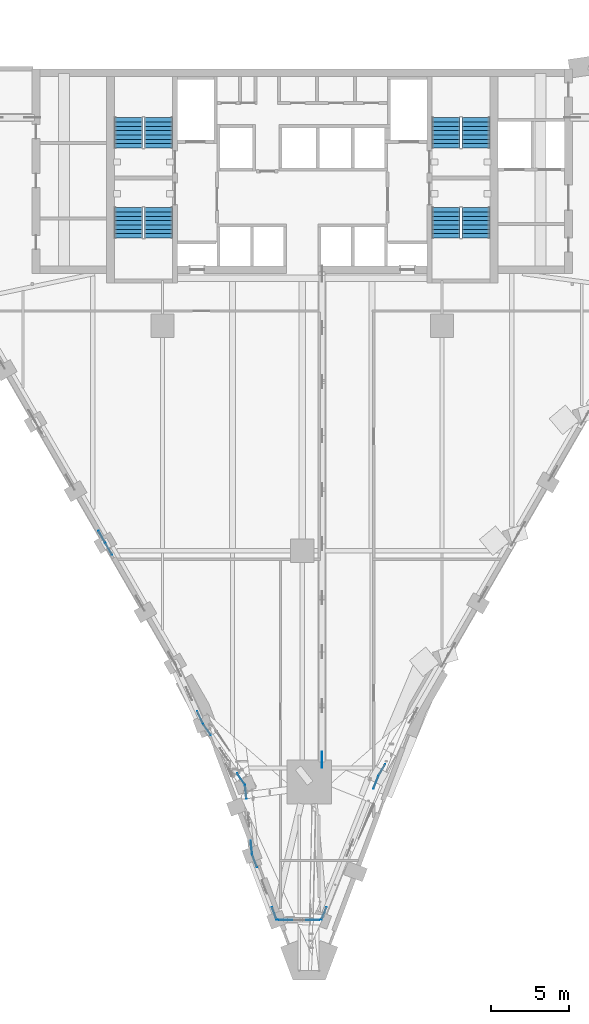
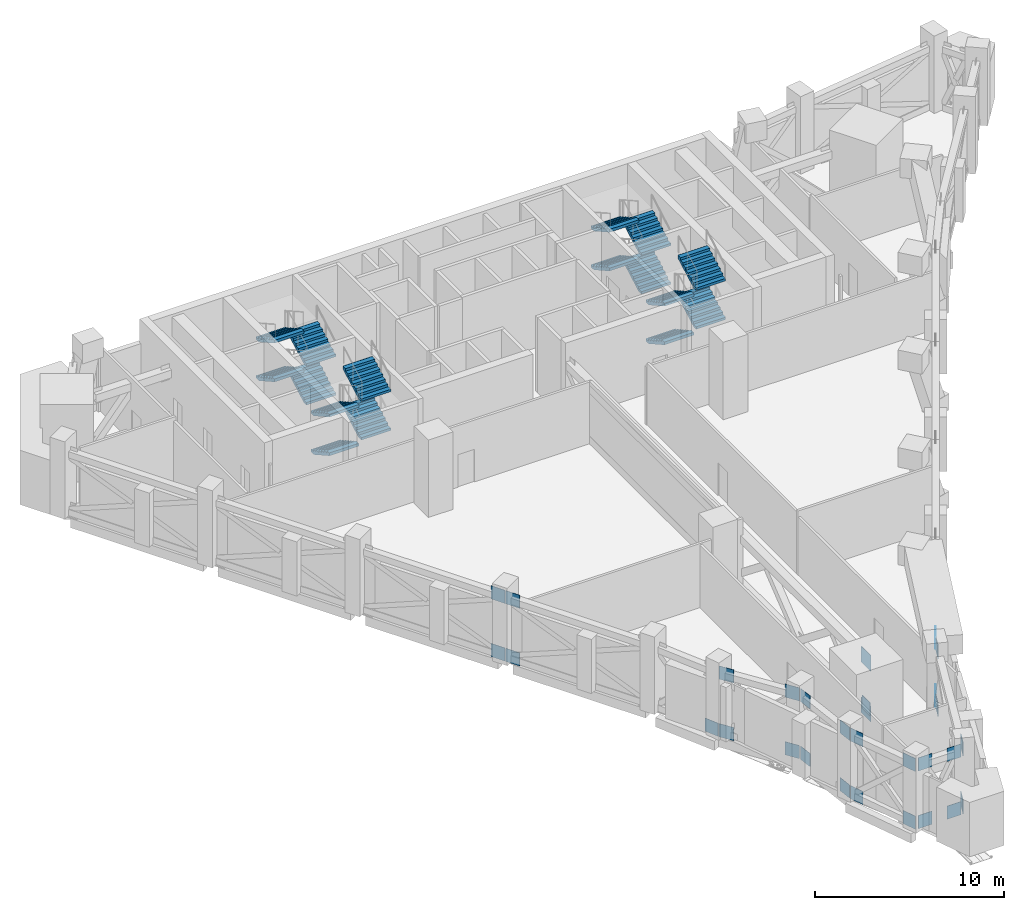
# One storey, part 12 of 20: 30 discrete accessories, 16 stair flights, 4 elements without a shape of their own.
"""IFC4 building model written with IfcOpenShell, lengths in metres."""

from ifc_helpers import new_model, si_unit, direction, frame, origin, origin_2d, place, context, subcontext, project, spatial, rectangle, extrude, faceted_brep, source, transform, mapped, material, type_object, element, aggregate, save


model = new_model("IFC4")

# Units and contexts
model_context = context("Model", 3, precision=1e-05, world=origin(), true_north=direction((0.0, 1.0)))
body_context = subcontext(model_context, "Body", "Model", "MODEL_VIEW")
ifc_project = project(units=[si_unit("LENGTHUNIT", "METRE"), si_unit("AREAUNIT", "SQUARE_METRE"), si_unit("VOLUMEUNIT", "CUBIC_METRE"), si_unit("PLANEANGLEUNIT", "RADIAN"), si_unit("MASSUNIT", "GRAM", prefix="KILO")], contexts=[model_context])

# Site, building, storey
site_placement = place(None, origin())
site = spatial("IfcSite", under=ifc_project, at=site_placement, CompositionType="ELEMENT")
building_placement = place(site_placement, origin())
building = spatial("IfcBuilding", under=site, at=building_placement, Name="Calabash Gate Tower", CompositionType="ELEMENT")
storey_placement = place(building_placement, frame((0.0, 0.0, 139.60009765625)))
storey = spatial("IfcBuildingStorey", under=building, at=storey_placement, Name="L32", CompositionType="ELEMENT", Elevation=139.60009765625)

# Stair, stair flights
ifc_material_1 = material(Name="Concrete C40/50", Category="concrete")
stair_type = type_object("IfcStairType", Name="Exit stair 32 risers of 156.2 mm", PredefinedType="HALF_TURN_STAIR", material=ifc_material_1)
stair_1_placement = place(storey_placement, origin())
stair_1 = element("IfcStair", 1, at=stair_1_placement, inside=storey, type_object=stair_type, Name="L32 Exit stair ST1", PredefinedType="HALF_TURN_STAIR")
ifc_material_2 = material(Name="Concrete C40/50", Category="concrete")
stair_flight_type = type_object("IfcStairFlightType", Name="Exit stair flight SFL", PredefinedType="STRAIGHT", material=ifc_material_2)
shared_shape = source(origin(), body_context, "Body", "Brep", [
    faceted_brep([(-0.0009765625, -0.89990234375, 0.0), (0.306884765625, -0.89990234375, 0.0), (1.9541015625, -0.89990234375, 0.921875), (-0.0009765625, 0.89990234375, 0.0), (1.9541015625, 0.89990234375, 0.921875), (0.306884765625, 0.89990234375, 0.0), (1.9541015625, -0.89990234375, 1.105712890625), (1.952880859375, -0.89990234375, 1.105712890625), (1.952880859375, 0.89990234375, 1.105712890625), (1.9541015625, 0.89990234375, 1.105712890625), (1.952880859375, -0.89990234375, 1.09375), (1.952880859375, 0.89990234375, 1.09375), (1.674072265625, -0.89990234375, 1.09375), (1.674072265625, 0.89990234375, 1.09375), (1.674072265625, -0.89990234375, 0.9375), (1.674072265625, 0.89990234375, 0.9375), (1.39501953125, -0.89990234375, 0.9375), (1.39501953125, 0.89990234375, 0.9375), (1.39501953125, -0.89990234375, 0.78125), (1.39501953125, 0.89990234375, 0.78125), (1.115966796875, -0.89990234375, 0.78125), (1.115966796875, -0.89990234375, 0.625), (1.115966796875, 0.89990234375, 0.625), (1.115966796875, 0.89990234375, 0.78125), (0.8369140625, -0.89990234375, 0.625), (0.8369140625, -0.89990234375, 0.46875), (0.8369140625, 0.89990234375, 0.46875), (0.8369140625, 0.89990234375, 0.625), (0.55810546875, -0.89990234375, 0.46875), (0.55810546875, -0.89990234375, 0.3125), (0.55810546875, 0.89990234375, 0.3125), (0.55810546875, 0.89990234375, 0.46875), (0.279052734375, -0.89990234375, 0.3125), (0.279052734375, -0.89990234375, 0.15625), (0.279052734375, 0.89990234375, 0.15625), (0.279052734375, 0.89990234375, 0.3125), (-0.0009765625, -0.89990234375, 0.15625), (-0.0009765625, 0.89990234375, 0.15625), (0.306884765625, -0.360107421875, 0.0), (1.9541015625, -0.360107421875, 0.921875), (0.306884765625, -0.27001953125, 0.0), (1.9541015625, -0.27001953125, 0.921875), (0.306884765625, -0.179931640625, 0.0), (1.9541015625, -0.179931640625, 0.921875), (0.306884765625, -0.090087890625, 0.0), (1.9541015625, -0.090087890625, 0.921875), (0.306884765625, 0.0, 0.0), (1.9541015625, 0.0, 0.921875), (0.306884765625, 0.090087890625, 0.0), (1.9541015625, 0.090087890625, 0.921875), (0.306884765625, 0.179931640625, 0.0), (1.9541015625, 0.179931640625, 0.921875), (0.306884765625, 0.27001953125, 0.0), (1.9541015625, 0.27001953125, 0.921875), (0.306884765625, 0.360107421875, 0.0), (1.9541015625, 0.360107421875, 0.921875), (1.9541015625, -0.360107421875, 1.105712890625), (1.9541015625, -0.27001953125, 1.105712890625), (1.9541015625, -0.179931640625, 1.105712890625), (1.9541015625, -0.090087890625, 1.105712890625), (1.9541015625, 0.0, 1.105712890625), (1.9541015625, 0.090087890625, 1.105712890625), (1.9541015625, 0.179931640625, 1.105712890625), (1.9541015625, 0.27001953125, 1.105712890625), (1.9541015625, 0.360107421875, 1.105712890625), (1.952880859375, -0.360107421875, 1.105712890625), (1.952880859375, -0.27001953125, 1.105712890625), (1.952880859375, -0.179931640625, 1.105712890625), (1.952880859375, -0.090087890625, 1.105712890625), (1.952880859375, 0.0, 1.105712890625), (1.952880859375, 0.090087890625, 1.105712890625), (1.952880859375, 0.179931640625, 1.105712890625), (1.952880859375, 0.27001953125, 1.105712890625), (1.952880859375, 0.360107421875, 1.105712890625), (1.952880859375, -0.360107421875, 1.09375), (1.952880859375, -0.27001953125, 1.09375), (1.952880859375, -0.179931640625, 1.09375), (1.952880859375, -0.090087890625, 1.09375), (1.952880859375, 0.0, 1.09375), (1.952880859375, 0.090087890625, 1.09375), (1.952880859375, 0.179931640625, 1.09375), (1.952880859375, 0.27001953125, 1.09375), (1.952880859375, 0.360107421875, 1.09375), (1.674072265625, -0.360107421875, 1.09375), (1.674072265625, -0.27001953125, 1.09375), (1.674072265625, -0.179931640625, 1.09375), (1.674072265625, -0.090087890625, 1.09375), (1.674072265625, 0.0, 1.09375), (1.674072265625, 0.090087890625, 1.09375), (1.674072265625, 0.179931640625, 1.09375), (1.674072265625, 0.27001953125, 1.09375), (1.674072265625, 0.360107421875, 1.09375), (1.674072265625, -0.360107421875, 0.9375), (1.674072265625, -0.27001953125, 0.9375), (1.674072265625, -0.179931640625, 0.9375), (1.674072265625, -0.090087890625, 0.9375), (1.674072265625, 0.0, 0.9375), (1.674072265625, 0.090087890625, 0.9375), (1.674072265625, 0.179931640625, 0.9375), (1.674072265625, 0.27001953125, 0.9375), (1.674072265625, 0.360107421875, 0.9375), (1.39501953125, -0.360107421875, 0.9375), (1.39501953125, -0.27001953125, 0.9375), (1.39501953125, -0.179931640625, 0.9375), (1.39501953125, -0.090087890625, 0.9375), (1.39501953125, 0.0, 0.9375), (1.39501953125, 0.090087890625, 0.9375), (1.39501953125, 0.179931640625, 0.9375), (1.39501953125, 0.27001953125, 0.9375), (1.39501953125, 0.360107421875, 0.9375), (1.39501953125, -0.360107421875, 0.78125), (1.39501953125, -0.27001953125, 0.78125), (1.39501953125, -0.179931640625, 0.78125), (1.39501953125, -0.090087890625, 0.78125), (1.39501953125, 0.0, 0.78125), (1.39501953125, 0.090087890625, 0.78125), (1.39501953125, 0.179931640625, 0.78125), (1.39501953125, 0.27001953125, 0.78125), (1.39501953125, 0.360107421875, 0.78125), (1.115966796875, -0.360107421875, 0.78125), (1.115966796875, -0.27001953125, 0.78125), (1.115966796875, -0.179931640625, 0.78125), (1.115966796875, -0.090087890625, 0.78125), (1.115966796875, 0.0, 0.78125), (1.115966796875, 0.090087890625, 0.78125), (1.115966796875, 0.179931640625, 0.78125), (1.115966796875, 0.27001953125, 0.78125), (1.115966796875, 0.360107421875, 0.78125), (1.115966796875, -0.360107421875, 0.625), (1.115966796875, -0.27001953125, 0.625), (1.115966796875, -0.179931640625, 0.625), (1.115966796875, -0.090087890625, 0.625), (1.115966796875, 0.0, 0.625), (1.115966796875, 0.090087890625, 0.625), (1.115966796875, 0.179931640625, 0.625), (1.115966796875, 0.27001953125, 0.625), (1.115966796875, 0.360107421875, 0.625), (0.8369140625, -0.360107421875, 0.625), (0.8369140625, -0.27001953125, 0.625), (0.8369140625, -0.179931640625, 0.625), (0.8369140625, -0.090087890625, 0.625), (0.8369140625, 0.0, 0.625), (0.8369140625, 0.090087890625, 0.625), (0.8369140625, 0.179931640625, 0.625), (0.8369140625, 0.27001953125, 0.625), (0.8369140625, 0.360107421875, 0.625), (0.8369140625, -0.360107421875, 0.46875), (0.8369140625, -0.27001953125, 0.46875), (0.8369140625, -0.179931640625, 0.46875), (0.8369140625, -0.090087890625, 0.46875), (0.8369140625, 0.0, 0.46875), (0.8369140625, 0.090087890625, 0.46875), (0.8369140625, 0.179931640625, 0.46875), (0.8369140625, 0.27001953125, 0.46875), (0.8369140625, 0.360107421875, 0.46875), (0.55810546875, -0.360107421875, 0.46875), (0.55810546875, -0.27001953125, 0.46875), (0.55810546875, -0.179931640625, 0.46875), (0.55810546875, -0.090087890625, 0.46875), (0.55810546875, 0.0, 0.46875), (0.55810546875, 0.090087890625, 0.46875), (0.55810546875, 0.179931640625, 0.46875), (0.55810546875, 0.27001953125, 0.46875), (0.55810546875, 0.360107421875, 0.46875), (0.55810546875, -0.360107421875, 0.3125), (0.55810546875, -0.27001953125, 0.3125), (0.55810546875, -0.179931640625, 0.3125), (0.55810546875, -0.090087890625, 0.3125), (0.55810546875, 0.0, 0.3125), (0.55810546875, 0.090087890625, 0.3125), (0.55810546875, 0.179931640625, 0.3125), (0.55810546875, 0.27001953125, 0.3125), (0.55810546875, 0.360107421875, 0.3125), (0.279052734375, -0.360107421875, 0.3125), (0.279052734375, -0.27001953125, 0.3125), (0.279052734375, -0.179931640625, 0.3125), (0.279052734375, -0.090087890625, 0.3125), (0.279052734375, 0.0, 0.3125), (0.279052734375, 0.090087890625, 0.3125), (0.279052734375, 0.179931640625, 0.3125), (0.279052734375, 0.27001953125, 0.3125), (0.279052734375, 0.360107421875, 0.3125), (0.279052734375, -0.360107421875, 0.15625), (0.279052734375, -0.27001953125, 0.15625), (0.279052734375, -0.179931640625, 0.15625), (0.279052734375, -0.090087890625, 0.15625), (0.279052734375, 0.0, 0.15625), (0.279052734375, 0.090087890625, 0.15625), (0.279052734375, 0.179931640625, 0.15625), (0.279052734375, 0.27001953125, 0.15625), (0.279052734375, 0.360107421875, 0.15625), (-0.0009765625, -0.360107421875, 0.15625), (-0.0009765625, -0.27001953125, 0.15625), (-0.0009765625, -0.179931640625, 0.15625), (-0.0009765625, -0.090087890625, 0.15625), (-0.0009765625, 0.0, 0.15625), (-0.0009765625, 0.090087890625, 0.15625), (-0.0009765625, 0.179931640625, 0.15625), (-0.0009765625, 0.27001953125, 0.15625), (-0.0009765625, 0.360107421875, 0.15625), (-0.0009765625, -0.360107421875, 0.0), (-0.0009765625, -0.27001953125, 0.0), (-0.0009765625, -0.179931640625, 0.0), (-0.0009765625, -0.090087890625, 0.0), (-0.0009765625, 0.0, 0.0), (-0.0009765625, 0.090087890625, 0.0), (-0.0009765625, 0.179931640625, 0.0), (-0.0009765625, 0.27001953125, 0.0), (-0.0009765625, 0.360107421875, 0.0)], [[[0, 1, 2]], [[3, 4, 5]], [[2, 6, 7]], [[4, 8, 9]], [[2, 7, 10]], [[4, 11, 8]], [[2, 10, 12]], [[4, 13, 11]], [[2, 12, 14]], [[4, 15, 13]], [[2, 14, 16]], [[4, 17, 15]], [[2, 16, 18]], [[4, 19, 17]], [[18, 20, 21]], [[19, 22, 23]], [[2, 18, 21]], [[4, 22, 19]], [[21, 24, 25]], [[22, 26, 27]], [[2, 21, 25]], [[4, 26, 22]], [[25, 28, 29]], [[26, 30, 31]], [[2, 25, 29]], [[4, 30, 26]], [[29, 32, 33]], [[30, 34, 35]], [[2, 29, 33]], [[4, 34, 30]], [[0, 2, 33]], [[3, 34, 4]], [[33, 36, 0]], [[34, 3, 37]], [[1, 38, 2]], [[38, 39, 2]], [[38, 40, 39]], [[40, 41, 39]], [[40, 42, 41]], [[42, 43, 41]], [[42, 44, 43]], [[44, 45, 43]], [[44, 46, 45]], [[46, 47, 45]], [[46, 48, 49]], [[46, 49, 47]], [[48, 50, 51]], [[48, 51, 49]], [[50, 52, 53]], [[50, 53, 51]], [[52, 54, 55]], [[52, 55, 53]], [[54, 5, 4]], [[54, 4, 55]], [[2, 39, 6]], [[39, 56, 6]], [[39, 41, 56]], [[41, 57, 56]], [[41, 43, 57]], [[43, 58, 57]], [[43, 45, 58]], [[45, 59, 58]], [[45, 47, 59]], [[47, 60, 59]], [[47, 49, 61]], [[47, 61, 60]], [[49, 51, 62]], [[49, 62, 61]], [[51, 53, 63]], [[51, 63, 62]], [[53, 55, 64]], [[53, 64, 63]], [[55, 4, 9]], [[55, 9, 64]], [[6, 56, 7]], [[56, 65, 7]], [[56, 57, 65]], [[57, 66, 65]], [[57, 58, 66]], [[58, 67, 66]], [[58, 59, 67]], [[59, 68, 67]], [[59, 60, 68]], [[60, 69, 68]], [[60, 61, 70]], [[60, 70, 69]], [[61, 62, 71]], [[61, 71, 70]], [[62, 63, 72]], [[62, 72, 71]], [[63, 64, 73]], [[63, 73, 72]], [[64, 9, 8]], [[64, 8, 73]], [[7, 65, 10]], [[65, 74, 10]], [[65, 66, 74]], [[66, 75, 74]], [[66, 67, 75]], [[67, 76, 75]], [[67, 68, 76]], [[68, 77, 76]], [[68, 69, 77]], [[69, 78, 77]], [[69, 70, 79]], [[69, 79, 78]], [[70, 71, 80]], [[70, 80, 79]], [[71, 72, 81]], [[71, 81, 80]], [[72, 73, 82]], [[72, 82, 81]], [[73, 8, 11]], [[73, 11, 82]], [[10, 74, 12]], [[74, 83, 12]], [[74, 75, 83]], [[75, 84, 83]], [[75, 76, 84]], [[76, 85, 84]], [[76, 77, 85]], [[77, 86, 85]], [[77, 78, 86]], [[78, 87, 86]], [[78, 79, 88]], [[78, 88, 87]], [[79, 80, 89]], [[79, 89, 88]], [[80, 81, 90]], [[80, 90, 89]], [[81, 82, 91]], [[81, 91, 90]], [[82, 11, 13]], [[82, 13, 91]], [[12, 83, 14]], [[83, 92, 14]], [[83, 84, 92]], [[84, 93, 92]], [[84, 85, 93]], [[85, 94, 93]], [[85, 86, 94]], [[86, 95, 94]], [[86, 87, 95]], [[87, 96, 95]], [[87, 88, 97]], [[87, 97, 96]], [[88, 89, 98]], [[88, 98, 97]], [[89, 90, 99]], [[89, 99, 98]], [[90, 91, 100]], [[90, 100, 99]], [[91, 13, 15]], [[91, 15, 100]], [[14, 92, 16]], [[92, 101, 16]], [[92, 93, 101]], [[93, 102, 101]], [[93, 94, 102]], [[94, 103, 102]], [[94, 95, 103]], [[95, 104, 103]], [[95, 96, 104]], [[96, 105, 104]], [[96, 97, 106]], [[96, 106, 105]], [[97, 98, 107]], [[97, 107, 106]], [[98, 99, 108]], [[98, 108, 107]], [[99, 100, 109]], [[99, 109, 108]], [[100, 15, 17]], [[100, 17, 109]], [[16, 101, 18]], [[101, 110, 18]], [[101, 102, 110]], [[102, 111, 110]], [[102, 103, 111]], [[103, 112, 111]], [[103, 104, 112]], [[104, 113, 112]], [[104, 105, 113]], [[105, 114, 113]], [[105, 106, 115]], [[105, 115, 114]], [[106, 107, 116]], [[106, 116, 115]], [[107, 108, 117]], [[107, 117, 116]], [[108, 109, 118]], [[108, 118, 117]], [[109, 17, 19]], [[109, 19, 118]], [[18, 110, 20]], [[110, 119, 20]], [[110, 111, 119]], [[111, 120, 119]], [[111, 112, 120]], [[112, 121, 120]], [[112, 113, 121]], [[113, 122, 121]], [[113, 114, 122]], [[114, 123, 122]], [[114, 115, 124]], [[114, 124, 123]], [[115, 116, 125]], [[115, 125, 124]], [[116, 117, 126]], [[116, 126, 125]], [[117, 118, 127]], [[117, 127, 126]], [[118, 19, 23]], [[118, 23, 127]], [[20, 119, 21]], [[119, 128, 21]], [[119, 120, 128]], [[120, 129, 128]], [[120, 121, 129]], [[121, 130, 129]], [[121, 122, 130]], [[122, 131, 130]], [[122, 123, 131]], [[123, 132, 131]], [[123, 124, 133]], [[123, 133, 132]], [[124, 125, 134]], [[124, 134, 133]], [[125, 126, 135]], [[125, 135, 134]], [[126, 127, 136]], [[126, 136, 135]], [[127, 23, 22]], [[127, 22, 136]], [[21, 128, 24]], [[128, 137, 24]], [[128, 129, 137]], [[129, 138, 137]], [[129, 130, 138]], [[130, 139, 138]], [[130, 131, 139]], [[131, 140, 139]], [[131, 132, 140]], [[132, 141, 140]], [[132, 133, 142]], [[132, 142, 141]], [[133, 134, 143]], [[133, 143, 142]], [[134, 135, 144]], [[134, 144, 143]], [[135, 136, 145]], [[135, 145, 144]], [[136, 22, 27]], [[136, 27, 145]], [[24, 137, 25]], [[137, 146, 25]], [[137, 138, 146]], [[138, 147, 146]], [[138, 139, 147]], [[139, 148, 147]], [[139, 140, 148]], [[140, 149, 148]], [[140, 141, 149]], [[141, 150, 149]], [[141, 142, 151]], [[141, 151, 150]], [[142, 143, 152]], [[142, 152, 151]], [[143, 144, 153]], [[143, 153, 152]], [[144, 145, 154]], [[144, 154, 153]], [[145, 27, 26]], [[145, 26, 154]], [[25, 146, 28]], [[146, 155, 28]], [[146, 147, 155]], [[147, 156, 155]], [[147, 148, 156]], [[148, 157, 156]], [[148, 149, 157]], [[149, 158, 157]], [[149, 150, 158]], [[150, 159, 158]], [[150, 151, 160]], [[150, 160, 159]], [[151, 152, 161]], [[151, 161, 160]], [[152, 153, 162]], [[152, 162, 161]], [[153, 154, 163]], [[153, 163, 162]], [[154, 26, 31]], [[154, 31, 163]], [[28, 155, 29]], [[155, 164, 29]], [[155, 156, 164]], [[156, 165, 164]], [[156, 157, 165]], [[157, 166, 165]], [[157, 158, 166]], [[158, 167, 166]], [[158, 159, 167]], [[159, 168, 167]], [[159, 160, 169]], [[159, 169, 168]], [[160, 161, 170]], [[160, 170, 169]], [[161, 162, 171]], [[161, 171, 170]], [[162, 163, 172]], [[162, 172, 171]], [[163, 31, 30]], [[163, 30, 172]], [[29, 164, 32]], [[164, 173, 32]], [[164, 165, 173]], [[165, 174, 173]], [[165, 166, 174]], [[166, 175, 174]], [[166, 167, 175]], [[167, 176, 175]], [[167, 168, 176]], [[168, 177, 176]], [[168, 169, 178]], [[168, 178, 177]], [[169, 170, 179]], [[169, 179, 178]], [[170, 171, 180]], [[170, 180, 179]], [[171, 172, 181]], [[171, 181, 180]], [[172, 30, 35]], [[172, 35, 181]], [[32, 173, 33]], [[173, 182, 33]], [[173, 174, 182]], [[174, 183, 182]], [[174, 175, 183]], [[175, 184, 183]], [[175, 176, 184]], [[176, 185, 184]], [[176, 177, 185]], [[177, 186, 185]], [[177, 178, 187]], [[177, 187, 186]], [[178, 179, 188]], [[178, 188, 187]], [[179, 180, 189]], [[179, 189, 188]], [[180, 181, 190]], [[180, 190, 189]], [[181, 35, 34]], [[181, 34, 190]], [[33, 182, 36]], [[182, 191, 36]], [[182, 183, 191]], [[183, 192, 191]], [[183, 184, 192]], [[184, 193, 192]], [[184, 185, 193]], [[185, 194, 193]], [[185, 186, 194]], [[186, 195, 194]], [[186, 187, 196]], [[186, 196, 195]], [[187, 188, 197]], [[187, 197, 196]], [[188, 189, 198]], [[188, 198, 197]], [[189, 190, 199]], [[189, 199, 198]], [[190, 34, 37]], [[190, 37, 199]], [[36, 191, 0]], [[191, 200, 0]], [[191, 192, 200]], [[192, 201, 200]], [[192, 193, 201]], [[193, 202, 201]], [[193, 194, 202]], [[194, 203, 202]], [[194, 195, 203]], [[195, 204, 203]], [[195, 196, 205]], [[195, 205, 204]], [[196, 197, 206]], [[196, 206, 205]], [[197, 198, 207]], [[197, 207, 206]], [[198, 199, 208]], [[198, 208, 207]], [[199, 37, 3]], [[199, 3, 208]], [[0, 200, 1]], [[200, 38, 1]], [[200, 201, 38]], [[201, 40, 38]], [[201, 202, 40]], [[202, 42, 40]], [[202, 203, 42]], [[203, 44, 42]], [[203, 204, 44]], [[204, 46, 44]], [[204, 205, 48]], [[204, 48, 46]], [[205, 206, 50]], [[205, 50, 48]], [[206, 207, 52]], [[206, 52, 50]], [[207, 208, 54]], [[207, 54, 52]], [[208, 3, 5]], [[208, 5, 54]]]),
])
stair_flight_1_placement = place(storey_placement, frame((-9.25, 13.95263671875, 0.0), z_axis=(0.0, 0.0, 1.0), x_axis=(0.0, 1.0, 0.0)))
stair_flight_1 = element("IfcStairFlight", 2, at=stair_flight_1_placement, type_object=stair_flight_type, Name="ST1 flight 1", NumberOfRisers=8, NumberOfTreads=7, PredefinedType="STRAIGHT", RiserHeight=0.15625, TreadLength=0.279, context=body_context, shape_type="MappedRepresentation", body=[
    mapped(shared_shape, transform((0.0, 0.0, 0.0), scale=1.0)),
])
stair_flight_2_placement = place(storey_placement, frame((-11.199951171875, 15.905517578125, 1.25), z_axis=(0.0, 0.0, 1.0), x_axis=(0.0, -1.0, 0.0)))
stair_flight_2 = element("IfcStairFlight", 3, at=stair_flight_2_placement, type_object=stair_flight_type, Name="ST1 flight 2", NumberOfRisers=8, NumberOfTreads=7, PredefinedType="STRAIGHT", RiserHeight=0.15625, TreadLength=0.279, context=body_context, shape_type="MappedRepresentation", body=[
    mapped(shared_shape, transform((0.0, 0.0, 0.0), scale=1.0)),
])
stair_flight_3_placement = place(storey_placement, frame((-9.25, 13.95263671875, 2.5), z_axis=(0.0, 0.0, 1.0), x_axis=(0.0, 1.0, 0.0)))
stair_flight_3 = element("IfcStairFlight", 4, at=stair_flight_3_placement, type_object=stair_flight_type, Name="ST1 flight 3", NumberOfRisers=8, NumberOfTreads=7, PredefinedType="STRAIGHT", RiserHeight=0.15625, TreadLength=0.279, context=body_context, shape_type="MappedRepresentation", body=[
    mapped(shared_shape, transform((0.0, 0.0, 0.0), scale=1.0)),
])
stair_flight_4_placement = place(storey_placement, frame((-11.199951171875, 15.905517578125, 3.75), z_axis=(0.0, 0.0, 1.0), x_axis=(0.0, -1.0, 0.0)))
stair_flight_4 = element("IfcStairFlight", 5, at=stair_flight_4_placement, type_object=stair_flight_type, Name="ST1 flight 4", NumberOfRisers=8, NumberOfTreads=7, PredefinedType="STRAIGHT", RiserHeight=0.15625, TreadLength=0.279, context=body_context, shape_type="MappedRepresentation", body=[
    mapped(shared_shape, transform((0.0, 0.0, 0.0), scale=1.0)),
])
aggregate(stair_1, [stair_flight_1, stair_flight_2, stair_flight_3, stair_flight_4])

stair_2_placement = place(storey_placement, origin())
stair_2 = element("IfcStair", 6, at=stair_2_placement, inside=storey, type_object=stair_type, Name="L32 Exit stair ST2", PredefinedType="HALF_TURN_STAIR")
stair_flight_5_placement = place(storey_placement, frame((-11.199951171875, 10.1025390625, 0.0), z_axis=(0.0, 0.0, 1.0), x_axis=(0.0, -1.0, 0.0)))
stair_flight_5 = element("IfcStairFlight", 7, at=stair_flight_5_placement, type_object=stair_flight_type, Name="ST2 flight 1", NumberOfRisers=8, NumberOfTreads=7, PredefinedType="STRAIGHT", RiserHeight=0.15625, TreadLength=0.279, context=body_context, shape_type="MappedRepresentation", body=[
    mapped(shared_shape, transform((0.0, 0.0, 0.0), scale=1.0)),
])
stair_flight_6_placement = place(storey_placement, frame((-9.25, 8.149658203125, 1.25), z_axis=(0.0, 0.0, 1.0), x_axis=(0.0, 1.0, 0.0)))
stair_flight_6 = element("IfcStairFlight", 8, at=stair_flight_6_placement, type_object=stair_flight_type, Name="ST2 flight 2", NumberOfRisers=8, NumberOfTreads=7, PredefinedType="STRAIGHT", RiserHeight=0.15625, TreadLength=0.279, context=body_context, shape_type="MappedRepresentation", body=[
    mapped(shared_shape, transform((0.0, 0.0, 0.0), scale=1.0)),
])
stair_flight_7_placement = place(storey_placement, frame((-11.199951171875, 10.1025390625, 2.5), z_axis=(0.0, 0.0, 1.0), x_axis=(0.0, -1.0, 0.0)))
stair_flight_7 = element("IfcStairFlight", 9, at=stair_flight_7_placement, type_object=stair_flight_type, Name="ST2 flight 3", NumberOfRisers=8, NumberOfTreads=7, PredefinedType="STRAIGHT", RiserHeight=0.15625, TreadLength=0.279, context=body_context, shape_type="MappedRepresentation", body=[
    mapped(shared_shape, transform((0.0, 0.0, 0.0), scale=1.0)),
])
stair_flight_8_placement = place(storey_placement, frame((-9.25, 8.149658203125, 3.75), z_axis=(0.0, 0.0, 1.0), x_axis=(0.0, 1.0, 0.0)))
stair_flight_8 = element("IfcStairFlight", 10, at=stair_flight_8_placement, type_object=stair_flight_type, Name="ST2 flight 4", NumberOfRisers=8, NumberOfTreads=7, PredefinedType="STRAIGHT", RiserHeight=0.15625, TreadLength=0.279, context=body_context, shape_type="MappedRepresentation", body=[
    mapped(shared_shape, transform((0.0, 0.0, 0.0), scale=1.0)),
])
aggregate(stair_2, [stair_flight_5, stair_flight_6, stair_flight_7, stair_flight_8])

stair_3_placement = place(storey_placement, origin())
stair_3 = element("IfcStair", 11, at=stair_3_placement, inside=storey, type_object=stair_type, Name="L32 Exit stair ST3", PredefinedType="HALF_TURN_STAIR")
stair_flight_9_placement = place(storey_placement, frame((11.199951171875, 13.95263671875, 0.0), z_axis=(0.0, 0.0, 1.0), x_axis=(0.0, 1.0, 0.0)))
stair_flight_9 = element("IfcStairFlight", 12, at=stair_flight_9_placement, type_object=stair_flight_type, Name="ST3 flight 1", NumberOfRisers=8, NumberOfTreads=7, PredefinedType="STRAIGHT", RiserHeight=0.15625, TreadLength=0.279, context=body_context, shape_type="MappedRepresentation", body=[
    mapped(shared_shape, transform((0.0, 0.0, 0.0), scale=1.0)),
])
stair_flight_10_placement = place(storey_placement, frame((9.25, 15.905517578125, 1.25), z_axis=(0.0, 0.0, 1.0), x_axis=(0.0, -1.0, 0.0)))
stair_flight_10 = element("IfcStairFlight", 13, at=stair_flight_10_placement, type_object=stair_flight_type, Name="ST3 flight 2", NumberOfRisers=8, NumberOfTreads=7, PredefinedType="STRAIGHT", RiserHeight=0.15625, TreadLength=0.279, context=body_context, shape_type="MappedRepresentation", body=[
    mapped(shared_shape, transform((0.0, 0.0, 0.0), scale=1.0)),
])
stair_flight_11_placement = place(storey_placement, frame((11.199951171875, 13.95263671875, 2.5), z_axis=(0.0, 0.0, 1.0), x_axis=(0.0, 1.0, 0.0)))
stair_flight_11 = element("IfcStairFlight", 14, at=stair_flight_11_placement, type_object=stair_flight_type, Name="ST3 flight 3", NumberOfRisers=8, NumberOfTreads=7, PredefinedType="STRAIGHT", RiserHeight=0.15625, TreadLength=0.279, context=body_context, shape_type="MappedRepresentation", body=[
    mapped(shared_shape, transform((0.0, 0.0, 0.0), scale=1.0)),
])
stair_flight_12_placement = place(storey_placement, frame((9.25, 15.905517578125, 3.75), z_axis=(0.0, 0.0, 1.0), x_axis=(0.0, -1.0, 0.0)))
stair_flight_12 = element("IfcStairFlight", 15, at=stair_flight_12_placement, type_object=stair_flight_type, Name="ST3 flight 4", NumberOfRisers=8, NumberOfTreads=7, PredefinedType="STRAIGHT", RiserHeight=0.15625, TreadLength=0.279, context=body_context, shape_type="MappedRepresentation", body=[
    mapped(shared_shape, transform((0.0, 0.0, 0.0), scale=1.0)),
])
aggregate(stair_3, [stair_flight_9, stair_flight_10, stair_flight_11, stair_flight_12])

stair_4_placement = place(storey_placement, origin())
stair_4 = element("IfcStair", 16, at=stair_4_placement, inside=storey, type_object=stair_type, Name="L32 Exit stair ST4", PredefinedType="HALF_TURN_STAIR")
stair_flight_13_placement = place(storey_placement, frame((9.25, 10.1025390625, 0.0), z_axis=(0.0, 0.0, 1.0), x_axis=(0.0, -1.0, 0.0)))
stair_flight_13 = element("IfcStairFlight", 17, at=stair_flight_13_placement, type_object=stair_flight_type, Name="ST4 flight 1", NumberOfRisers=8, NumberOfTreads=7, PredefinedType="STRAIGHT", RiserHeight=0.15625, TreadLength=0.279, context=body_context, shape_type="MappedRepresentation", body=[
    mapped(shared_shape, transform((0.0, 0.0, 0.0), scale=1.0)),
])
stair_flight_14_placement = place(storey_placement, frame((11.199951171875, 8.149658203125, 1.25), z_axis=(0.0, 0.0, 1.0), x_axis=(0.0, 1.0, 0.0)))
stair_flight_14 = element("IfcStairFlight", 18, at=stair_flight_14_placement, type_object=stair_flight_type, Name="ST4 flight 2", NumberOfRisers=8, NumberOfTreads=7, PredefinedType="STRAIGHT", RiserHeight=0.15625, TreadLength=0.279, context=body_context, shape_type="MappedRepresentation", body=[
    mapped(shared_shape, transform((0.0, 0.0, 0.0), scale=1.0)),
])
stair_flight_15_placement = place(storey_placement, frame((9.25, 10.1025390625, 2.5), z_axis=(0.0, 0.0, 1.0), x_axis=(0.0, -1.0, 0.0)))
stair_flight_15 = element("IfcStairFlight", 19, at=stair_flight_15_placement, type_object=stair_flight_type, Name="ST4 flight 3", NumberOfRisers=8, NumberOfTreads=7, PredefinedType="STRAIGHT", RiserHeight=0.15625, TreadLength=0.279, context=body_context, shape_type="MappedRepresentation", body=[
    mapped(shared_shape, transform((0.0, 0.0, 0.0), scale=1.0)),
])
stair_flight_16_placement = place(storey_placement, frame((11.199951171875, 8.149658203125, 3.75), z_axis=(0.0, 0.0, 1.0), x_axis=(0.0, 1.0, 0.0)))
stair_flight_16 = element("IfcStairFlight", 20, at=stair_flight_16_placement, type_object=stair_flight_type, Name="ST4 flight 4", NumberOfRisers=8, NumberOfTreads=7, PredefinedType="STRAIGHT", RiserHeight=0.15625, TreadLength=0.279, context=body_context, shape_type="MappedRepresentation", body=[
    mapped(shared_shape, transform((0.0, 0.0, 0.0), scale=1.0)),
])
aggregate(stair_4, [stair_flight_13, stair_flight_14, stair_flight_15, stair_flight_16])

# Discrete accessories
ifc_material_3 = material(Name="Steel ASTM A572 Gr50", Category="steel")
discrete_accessory_type = type_object("IfcDiscreteAccessoryType", Name="Connection plate 25", PredefinedType="BRACKET", material=ifc_material_3)
for number, where, z_axis, x_axis, name in (
    (21, (-12.463134765625, -11.8779296875, -0.22216796875), (0.0, 0.0, 1.0), (0.499999984885, -0.866025412511, 0.0), "Connection plate Belt chord L32 1 start"),
    (22, (-12.463134765625, -11.8779296875, 3.50146484375), (0.0, 0.0, 1.0), (0.499999984885, -0.866025412511, 0.0), "Connection plate Belt chord L32 2 start"),
    (23, (-6.58642578125, -22.72802734375, -0.22216796875), (0.0, 0.0, 1.0), (0.421566092498, -0.906797678458, 0.0), "Connection plate Belt chord L32 6 end"),
    (24, (-6.133544921875, -23.519287109375, -0.22216796875), (0.0, 0.0, 1.0), (0.566462993723, -0.824087177878, 0.0), "Connection plate Belt chord L32 11 start"),
    (25, (-3.95068359375, -26.694580078125, -0.22216796875), (0.0, 0.0, 1.0), (0.566462993723, -0.824087177878, 0.0), "Connection plate Belt chord L32 11 end"),
    (26, (-6.133544921875, -23.519287109375, 3.50146484375), (0.0, 0.0, 1.0), (0.566462993723, -0.824087177878, 0.0), "Connection plate Belt chord L32 12 start"),
    (27, (-3.95068359375, -26.694580078125, 3.50146484375), (0.0, 0.0, 1.0), (0.566462993723, -0.824087177878, 0.0), "Connection plate Belt chord L32 12 end"),
    (28, (-3.640869140625, -27.53955078125, -0.22216796875), (0.0, 0.0, 1.0), (0.101681535445, -0.994817000935, 0.0), "Connection plate Belt chord L32 16 start"),
    (29, (-3.277099609375, -31.098876953125, -0.22216796875), (0.0, 0.0, 1.0), (0.101681535445, -0.994817000935, 0.0), "Connection plate Belt chord L32 16 end"),
    (30, (-3.640869140625, -27.53955078125, 3.50146484375), (0.0, 0.0, 1.0), (0.101681535445, -0.994817000935, 0.0), "Connection plate Belt chord L32 17 start"),
    (31, (-3.277099609375, -31.098876953125, 3.50146484375), (0.0, 0.0, 1.0), (0.101681535445, -0.994817000935, 0.0), "Connection plate Belt chord L32 17 end"),
    (32, (-3.071533203125, -31.98291015625, -0.22216796875), (0.0, 0.0, 1.0), (0.351822435641, -0.936066757117, 0.0), "Connection plate Belt chord L32 21 start"),
    (33, (-1.804931640625, -35.352783203125, -0.22216796875), (0.0, 0.0, 1.0), (0.351822435641, -0.936066757117, 0.0), "Connection plate Belt chord L32 21 end"),
    (34, (-3.071533203125, -31.98291015625, 3.50146484375), (0.0, 0.0, 1.0), (0.351822435641, -0.936066757117, 0.0), "Connection plate Belt chord L32 22 start"),
    (35, (-1.804931640625, -35.352783203125, 3.50146484375), (0.0, 0.0, 1.0), (0.351822435641, -0.936066757117, 0.0), "Connection plate Belt chord L32 22 end"),
    (36, (-1.085693359375, -35.774169921875, -0.22216796875), (0.0, 0.0, 1.0), (1.0, 0.0, 0.0), "Connection plate Belt chord L32 26 start"),
    (37, (0.67626953125, -35.774169921875, -0.22216796875), (0.0, 0.0, 1.0), (1.0, 0.0, 0.0), "Connection plate Belt chord L32 26 end"),
    (38, (-1.085693359375, -35.774169921875, 3.50146484375), (0.0, 0.0, 1.0), (1.0, 0.0, 0.0), "Connection plate Belt chord L32 27 start"),
    (39, (0.67626953125, -35.774169921875, 3.50146484375), (0.0, 0.0, 1.0), (1.0, 0.0, 0.0), "Connection plate Belt chord L32 27 end"),
    (40, (1.40283203125, -35.355712890625, -0.22216796875), (0.0, 0.0, 1.0), (0.368137437412, 0.92977138436, 0.0), "Connection plate Belt chord L32 31 start"),
    (41, (4.740966796875, -26.9248046875, -0.22216796875), (0.0, 0.0, 1.0), (0.368137437412, 0.92977138436, 0.0), "Connection plate Belt chord L32 31 end"),
    (42, (1.40283203125, -35.355712890625, 3.50146484375), (0.0, 0.0, 1.0), (0.368137437412, 0.92977138436, 0.0), "Connection plate Belt chord L32 32 start"),
    (43, (4.740966796875, -26.9248046875, 3.50146484375), (0.0, 0.0, 1.0), (0.368137437412, 0.92977138436, 0.0), "Connection plate Belt chord L32 32 end"),
    (44, (5.134765625, -26.111328125, -0.22216796875), (0.0, 0.0, 1.0), (0.50000003023, 0.866025386331, 0.0), "Connection plate Belt chord L32 36 start"),
    (45, (5.134765625, -26.111328125, 3.50146484375), (0.0, 0.0, 1.0), (0.499986487134, 0.866033205301, 0.0), "Connection plate Belt chord L32 37 start"),
    (46, (-12.9130859375, -11.0986328125, -0.22216796875), (0.0, 0.0, 1.0), (0.49999993954, -0.866025438691, 0.0), "Connection plate Belt chord L32 101 end"),
    (47, (-12.9130859375, -11.0986328125, 3.50146484375), (0.0, 0.0, 1.0), (0.49999993954, -0.866025438691, 0.0), "Connection plate Belt chord L32 102 end"),
):
    element("IfcDiscreteAccessory", number, at=place(storey_placement, frame(where, z_axis=z_axis, x_axis=x_axis)), inside=storey, type_object=discrete_accessory_type, Name=name, PredefinedType="BRACKET", context=body_context, shape_type="SweptSolid", body=[
        extrude(rectangle(XDim=0.850341796875, YDim=0.02490234375, at=origin_2d()), origin(), (0.0, 0.0, 1.0), 0.850341796875),
    ])
for number, where, z_axis, x_axis, name in (
    (48, (1.26953125, -25.4677734375, -0.25244140625), (0.0, 0.0, 1.0), (0.0, 1.0, 0.0), "Connection plate Outrigger chord L32 S start"),
    (49, (1.26953125, -25.4677734375, 3.01953125), (0.0, 0.0, 1.0), (0.0, 1.0, 0.0), "Connection plate Outrigger chord L32 S start"),
):
    element("IfcDiscreteAccessory", number, at=place(storey_placement, frame(where, z_axis=z_axis, x_axis=x_axis)), inside=storey, type_object=discrete_accessory_type, Name=name, PredefinedType="BRACKET", context=body_context, shape_type="SweptSolid", body=[
        extrude(rectangle(XDim=1.0126953125, YDim=0.02490234375, at=origin_2d()), origin(), (0.0, 0.0, 1.0), 1.0126953125),
    ])
discrete_accessory_placement = place(storey_placement, frame((1.26953125, -25.4677734375, 0.08251953125), z_axis=(0.0, 0.0, 1.0), x_axis=(0.0, 1.0, 0.0)))
element("IfcDiscreteAccessory", 50, at=discrete_accessory_placement, inside=storey, type_object=discrete_accessory_type, Name="Connection plate Outrigger diagonal L32 S start", PredefinedType="BRACKET", context=body_context, shape_type="SweptSolid", body=[
    extrude(rectangle(XDim=0.850341796875, YDim=0.02490234375, at=origin_2d()), origin(), (0.0, 0.0, 1.0), 0.850341796875),
])

save(model, "model.ifc")
